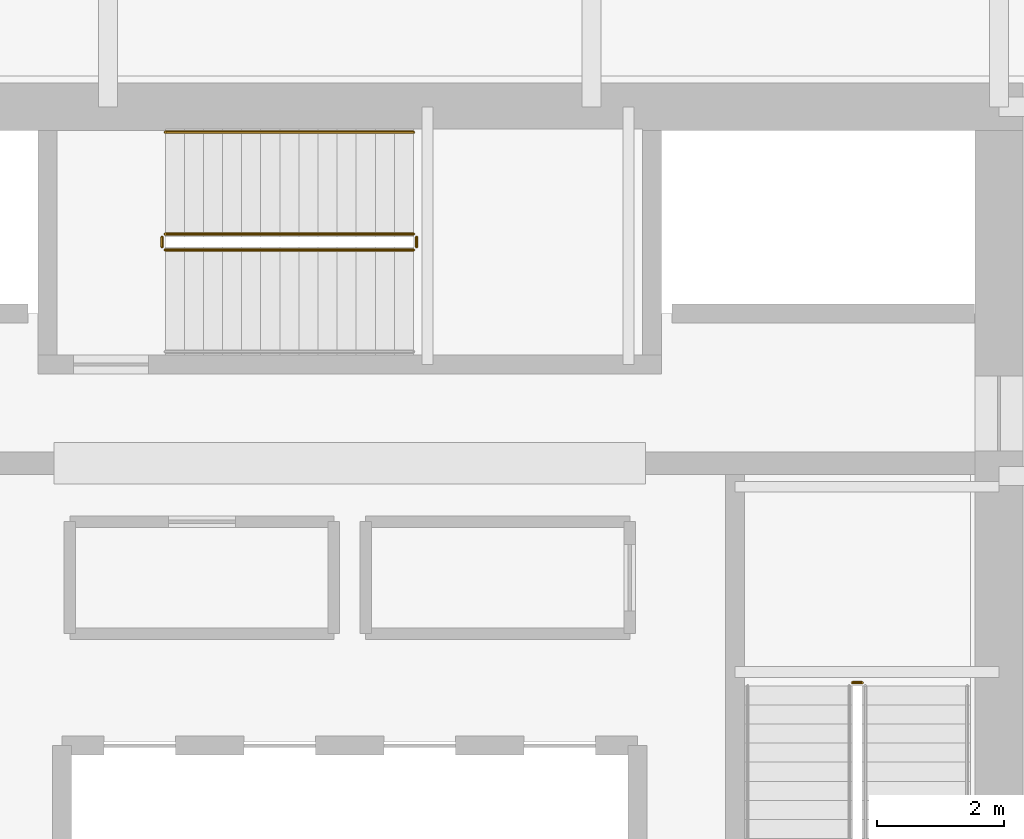
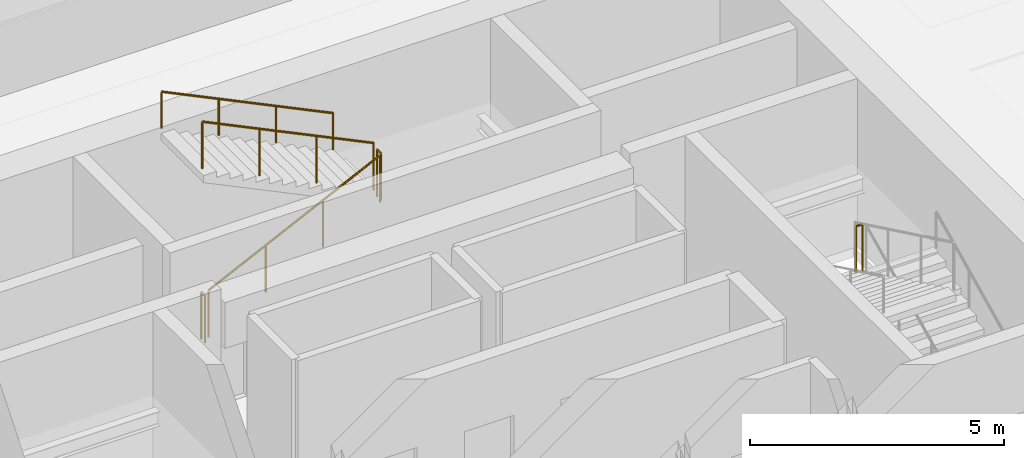
# One storey, part 33 of 34: 6 railings.
"""IFC4 building model written with IfcOpenShell, lengths in metres."""

from ifc_helpers import new_model, si_unit, direction, frame, origin, origin_2d, place, context, subcontext, project, spatial, circle, extrude, material, type_object, element, save


model = new_model("IFC4")

# Units and contexts
model_context = context("Model", 3, precision=1e-05, world=origin(), true_north=direction((0.0, 1.0)))
body_context = subcontext(model_context, "Body", "Model", "MODEL_VIEW")
ifc_project = project(units=[si_unit("LENGTHUNIT", "METRE"), si_unit("AREAUNIT", "SQUARE_METRE"), si_unit("VOLUMEUNIT", "CUBIC_METRE"), si_unit("PLANEANGLEUNIT", "RADIAN"), si_unit("MASSUNIT", "GRAM", prefix="KILO")], contexts=[model_context])

# Site, building, storey
site_placement = place(None, origin())
site = spatial("IfcSite", under=ifc_project, at=site_placement, CompositionType="ELEMENT")
building_placement = place(site_placement, origin())
building = spatial("IfcBuilding", under=site, at=building_placement, Name="Punatoya Terracotta Tower", CompositionType="ELEMENT")
storey_placement = place(building_placement, frame((0.0, 0.0, 105.14990234375)))
storey = spatial("IfcBuildingStorey", under=building, at=storey_placement, Name="L24", CompositionType="ELEMENT", Elevation=105.14990234375)

# Railings
ifc_material = material(Name="Steel S355", Category="steel")
railing_type_1 = type_object("IfcRailingType", Name="RLG-GRD-1150", PredefinedType="GUARDRAIL", material=ifc_material)
railing_1_placement = place(storey_placement, frame((8.050048828125, 0.14990234375, 2.025146484375)))
element("IfcRailing", 1, at=railing_1_placement, inside=storey, type_object=railing_type_1, Name="L24 ST-2 stair guard 2", PredefinedType="GUARDRAIL", context=body_context, shape_type="SweptSolid", body=[
    extrude(circle(Radius=0.02392578125, at=origin_2d()), frame((0.0, 0.0, 1.1259765625), z_axis=(-1.0, 0.0, 0.0), x_axis=(0.0, -1.0, 0.0)), (0.0, 0.0, 1.0), 0.150146484375),
    extrude(circle(Radius=0.02099609375, at=origin_2d()), origin(), (0.0, 0.0, 1.0), 1.101806640625),
    extrude(circle(Radius=0.02099609375, at=origin_2d()), frame((-0.150146484375, 0.0, 0.0)), (0.0, 0.0, 1.0), 1.101806640625),
])
railing_2_placement = place(storey_placement, frame((-2.89990234375, 6.949951171875, 0.144775390625)))
element("IfcRailing", 2, at=railing_2_placement, inside=storey, type_object=railing_type_1, Name="L24 ST-3 stair guard 1", PredefinedType="GUARDRAIL", context=body_context, shape_type="SweptSolid", body=[
    extrude(circle(Radius=0.02392578125, at=origin_2d()), frame((0.0, 0.0, 1.1259765625), z_axis=(0.900763166376, 0.0, 0.434310623978), x_axis=(0.0, 1.0, 0.0)), (0.0, 0.0, 1.0), 4.32958984375),
    extrude(circle(Radius=0.02099609375, at=origin_2d()), origin(), (0.0, 0.0, 1.0), 1.101806640625),
    extrude(circle(Radius=0.02099609375, at=origin_2d()), frame((1.300048828125, 0.0, 0.626708984375)), (0.0, 0.0, 1.0), 1.101806640625),
    extrude(circle(Radius=0.02099609375, at=origin_2d()), frame((2.599853515625, 0.0, 1.253662109375)), (0.0, 0.0, 1.0), 1.101806640625),
    extrude(circle(Radius=0.02099609375, at=origin_2d()), frame((3.89990234375, 0.0, 1.88037109375)), (0.0, 0.0, 1.0), 1.101806640625),
])
railing_3_placement = place(storey_placement, frame((1.050048828125, 7.0, 2.025146484375)))
element("IfcRailing", 3, at=railing_3_placement, inside=storey, type_object=railing_type_1, Name="L24 ST-3 stair guard 2", PredefinedType="GUARDRAIL", context=body_context, shape_type="SweptSolid", body=[
    extrude(circle(Radius=0.02392578125, at=origin_2d()), frame((0.0, 0.0, 1.1259765625), z_axis=(0.0, 1.0, 0.0), x_axis=(-1.0, 0.0, 0.0)), (0.0, 0.0, 1.0), 0.14990234375),
    extrude(circle(Radius=0.02099609375, at=origin_2d()), origin(), (0.0, 0.0, 1.0), 1.101806640625),
    extrude(circle(Radius=0.02099609375, at=origin_2d()), frame((0.0, 0.14990234375, 0.0)), (0.0, 0.0, 1.0), 1.101806640625),
])
railing_4_placement = place(storey_placement, frame((1.0, 7.199951171875, 2.169677734375)))
element("IfcRailing", 4, at=railing_4_placement, inside=storey, type_object=railing_type_1, Name="L24 ST-3 stair guard 3", PredefinedType="GUARDRAIL", context=body_context, shape_type="SweptSolid", body=[
    extrude(circle(Radius=0.02392578125, at=origin_2d()), frame((0.0, 0.0, 1.1259765625), z_axis=(-0.900763166376, 0.0, 0.434310623978), x_axis=(0.0, -1.0, 0.0)), (0.0, 0.0, 1.0), 4.32958984375),
    extrude(circle(Radius=0.02099609375, at=origin_2d()), origin(), (0.0, 0.0, 1.0), 1.101806640625),
    extrude(circle(Radius=0.02099609375, at=origin_2d()), frame((-1.300048828125, 0.0, 0.626708984375)), (0.0, 0.0, 1.0), 1.101806640625),
    extrude(circle(Radius=0.02099609375, at=origin_2d()), frame((-2.599853515625, 0.0, 1.253662109375)), (0.0, 0.0, 1.0), 1.101806640625),
    extrude(circle(Radius=0.02099609375, at=origin_2d()), frame((-3.89990234375, 0.0, 1.88037109375)), (0.0, 0.0, 1.0), 1.101806640625),
])
railing_5_placement = place(storey_placement, frame((-2.949951171875, 7.0, 0.0)))
element("IfcRailing", 5, at=railing_5_placement, inside=storey, type_object=railing_type_1, Name="L24 ST-3 stair guard 4", PredefinedType="GUARDRAIL", context=body_context, shape_type="SweptSolid", body=[
    extrude(circle(Radius=0.02392578125, at=origin_2d()), frame((0.0, 0.0, 1.1259765625), z_axis=(0.0, 1.0, 0.0), x_axis=(-1.0, 0.0, 0.0)), (0.0, 0.0, 1.0), 0.14990234375),
    extrude(circle(Radius=0.02099609375, at=origin_2d()), origin(), (0.0, 0.0, 1.0), 1.101806640625),
    extrude(circle(Radius=0.02099609375, at=origin_2d()), frame((0.0, 0.14990234375, 0.0)), (0.0, 0.0, 1.0), 1.101806640625),
])
railing_type_2 = type_object("IfcRailingType", Name="RLG-HND-900", PredefinedType="HANDRAIL", material=ifc_material)
railing_6_placement = place(storey_placement, frame((1.0, 8.800048828125, 2.169677734375)))
element("IfcRailing", 6, at=railing_6_placement, inside=storey, type_object=railing_type_2, Name="L24 ST-3 stair handrail 2", PredefinedType="HANDRAIL", context=body_context, shape_type="SweptSolid", body=[
    extrude(circle(Radius=0.02392578125, at=origin_2d()), frame((0.0, 0.0, 0.8759765625), z_axis=(-0.900763166376, 0.0, 0.434310623978), x_axis=(0.0, -1.0, 0.0)), (0.0, 0.0, 1.0), 4.32958984375),
    extrude(circle(Radius=0.02099609375, at=origin_2d()), origin(), (0.0, 0.0, 1.0), 0.851806640625),
    extrude(circle(Radius=0.02099609375, at=origin_2d()), frame((-1.300048828125, 0.0, 0.626708984375)), (0.0, 0.0, 1.0), 0.851806640625),
    extrude(circle(Radius=0.02099609375, at=origin_2d()), frame((-2.599853515625, 0.0, 1.253662109375)), (0.0, 0.0, 1.0), 0.851806640625),
    extrude(circle(Radius=0.02099609375, at=origin_2d()), frame((-3.89990234375, 0.0, 1.88037109375)), (0.0, 0.0, 1.0), 0.851806640625),
])

save(model, "model.ifc")
